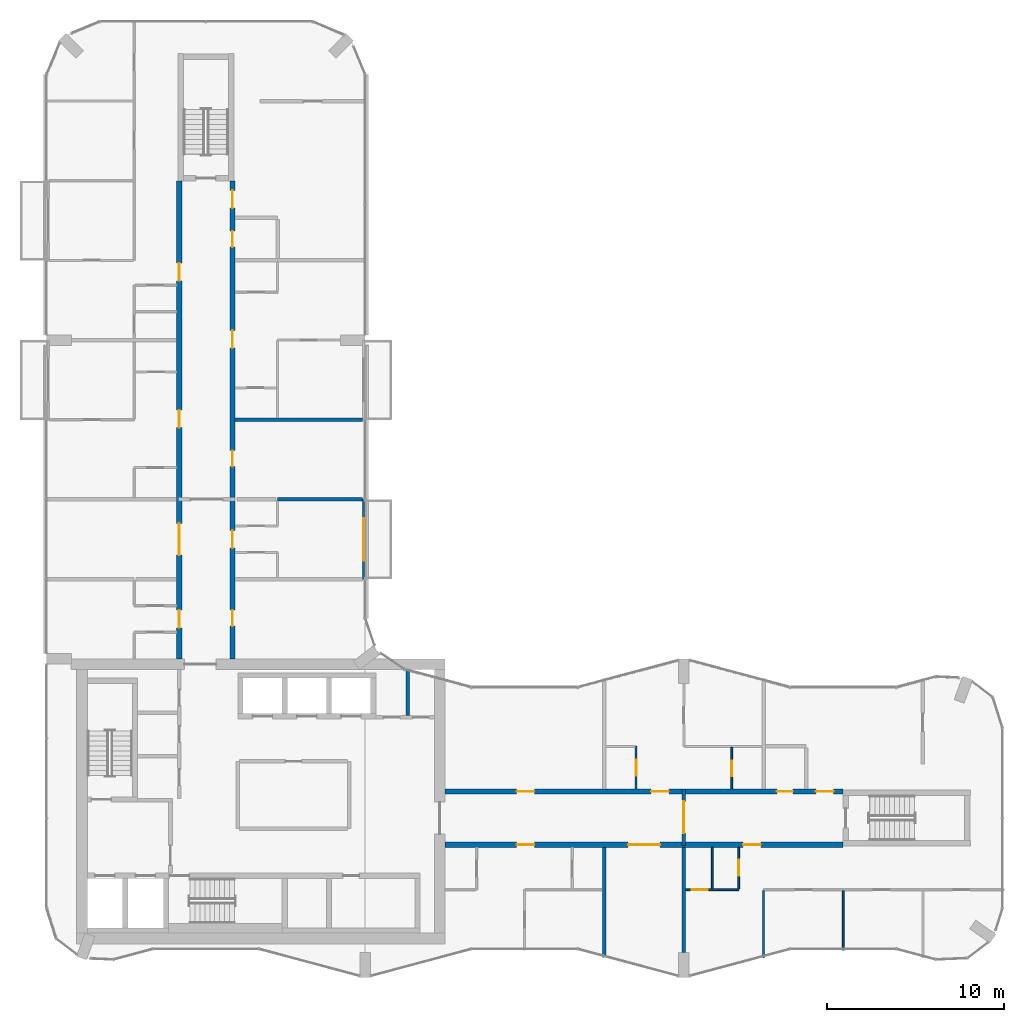
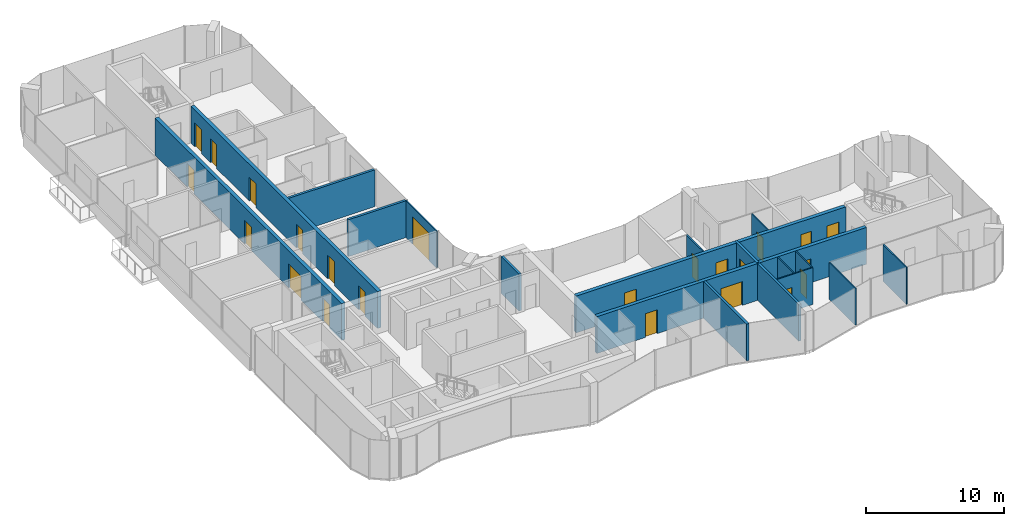
# One storey, part 11 of 15: 23 doors, 18 walls, 23 openings.
"""IFC4 building model written with IfcOpenShell, lengths in metres."""

from ifc_helpers import new_model, si_unit, direction, frame, frame_2d, origin, place, context, subcontext, project, spatial, rectangle, extrude, material, layer, layer_set, type_object, element, fill, save


model = new_model("IFC4")

# Units and contexts
model_context = context("Model", 3, precision=1e-05, world=origin(), true_north=direction((0.0, 1.0)))
body_context = subcontext(model_context, "Body", "Model", "MODEL_VIEW")
ifc_project = project(units=[si_unit("LENGTHUNIT", "METRE"), si_unit("AREAUNIT", "SQUARE_METRE"), si_unit("VOLUMEUNIT", "CUBIC_METRE"), si_unit("PLANEANGLEUNIT", "RADIAN"), si_unit("MASSUNIT", "GRAM", prefix="KILO")], contexts=[model_context])

# Site, building, storey
site_placement = place(None, origin())
site = spatial("IfcSite", under=ifc_project, at=site_placement, CompositionType="ELEMENT")
building_placement = place(site_placement, origin())
building = spatial("IfcBuilding", under=site, at=building_placement, Name="Plateau Cross Towers", CompositionType="ELEMENT")
storey_placement = place(building_placement, frame((0.0, 0.0, 156.89990234375)))
storey = spatial("IfcBuildingStorey", under=building, at=storey_placement, Name="L40", CompositionType="ELEMENT", Elevation=156.89990234375)

# Wall, opening, door
ifc_material_1 = material(Name="Aluminium framed glazing", Category="aluminium")
ifc_layer_1 = layer(ifc_material_1, 0.10009765625)
ifc_layer_set_1 = layer_set([ifc_layer_1], Name="Aluminium framed glazing")
wall_type_1 = type_object("IfcWallType", Name="Balcony screen wall 100", PredefinedType="STANDARD", material=ifc_layer_set_1)
wall_1_placement = place(storey_placement, frame((17.89990234375, 27.0, 0.0), z_axis=(0.0, 0.0, 1.0), x_axis=(0.0, -1.0, 0.0)))
wall_1 = element("IfcWall", 1, at=wall_1_placement, inside=storey, type_object=wall_type_1, Name="Balcony screen wall A-BAL-L40-03", PredefinedType="STANDARD", context=body_context, shape_type="SweptSolid", body=[
    extrude(rectangle(XDim=4.5, YDim=0.10009765625, at=frame_2d((2.25, 0.0))), origin(), (0.0, 0.0, 1.0), 3.25),
])
opening_1_placement = place(wall_1_placement, frame((1.050048828125, 0.0, 0.0)))
opening_1 = element("IfcOpeningElement", 2, at=opening_1_placement, cuts=wall_1, Name="Opening D-B24", PredefinedType="OPENING", context=body_context, shape_type="SweptSolid", body=[
    extrude(rectangle(XDim=2.39990234375, YDim=2.39990234375, at=frame_2d((1.199951171875, 1.199951171875))), frame((0.0, 0.06005859375, 0.0), z_axis=(0.0, -1.0, 0.0), x_axis=(1.0, 0.0, 0.0)), (0.0, 0.0, 1.0), 0.1201171875),
])
ifc_material_2 = material(Name="Aluminium frame, double glazing", Category="aluminium")
door_type_1 = type_object("IfcDoorType", Name="Balcony sliding door 2400", OperationType="NOTDEFINED", PredefinedType="DOOR", material=ifc_material_2)
door_1_placement = place(opening_1_placement, origin())
door_1 = element("IfcDoor", 3, at=door_1_placement, inside=storey, type_object=door_type_1, Name="Balcony door A-BAL-L40-03", OperationType="SINGLE_SWING_LEFT", OverallHeight=2.39990234375, OverallWidth=2.39990234375, PredefinedType="DOOR", context=body_context, shape_type="SweptSolid", body=[
    extrude(rectangle(XDim=2.39990234375, YDim=2.39990234375, at=frame_2d((1.199951171875, 1.199951171875))), frame((0.0, 0.02490234375, 0.0), z_axis=(0.0, -1.0, 0.0), x_axis=(1.0, 0.0, 0.0)), (0.0, 0.0, 1.0), 0.050048828125),
])
fill(opening_1, door_1)

# Wall
ifc_material_3 = material(Name="Concrete block, plastered both sides", Category="concrete")
ifc_layer_2 = layer(ifc_material_3, 0.199951171875)
ifc_layer_set_2 = layer_set([ifc_layer_2], Name="Concrete block, plastered both sides")
wall_type_2 = type_object("IfcWallType", Name="Core partition 200", PredefinedType="PARTITIONING", material=ifc_layer_set_2)
wall_2_placement = place(storey_placement, frame((20.39990234375, 14.800048828125, 0.0), z_axis=(0.0, 0.0, 1.0), x_axis=(0.0, 1.0, 0.0)))
element("IfcWall", 4, at=wall_2_placement, inside=storey, type_object=wall_type_2, Name="Core partition", PredefinedType="PARTITIONING", context=body_context, shape_type="SweptSolid", body=[
    extrude(rectangle(XDim=2.599853515625, YDim=0.199951171875, at=frame_2d((1.2998046875, 0.0))), origin(), (0.0, 0.0, 1.0), 3.25),
])

# Wall, openings, doors
ifc_material_4 = material(Name="Concrete C60/75", Category="concrete")
ifc_layer_3 = layer(ifc_material_4, 0.300048828125)
ifc_layer_set_3 = layer_set([ifc_layer_3], Name="Concrete C60/75")
wall_type_3 = type_object("IfcWallType", Name="Corridor wall 300", PredefinedType="SHEAR", material=ifc_layer_set_3)
wall_3_placement = place(storey_placement, frame((22.5, 7.5, 0.0), z_axis=(0.0, 0.0, 1.0), x_axis=(1.0, 0.0, 0.0)))
wall_3 = element("IfcWall", 5, at=wall_3_placement, inside=storey, type_object=wall_type_3, Name="A-cw-S1@L40", PredefinedType="SHEAR", context=body_context, shape_type="SweptSolid", body=[
    extrude(rectangle(XDim=22.5, YDim=0.300048828125, at=frame_2d((11.25, 0.0))), origin(), (0.0, 0.0, 1.0), 3.25),
])
opening_2_placement = place(wall_3_placement, frame((4.050048828125, 0.0, 0.0)))
opening_2 = element("IfcOpeningElement", 6, at=opening_2_placement, cuts=wall_3, Name="Opening 40-01", PredefinedType="OPENING", context=body_context, shape_type="SweptSolid", body=[
    extrude(rectangle(XDim=1.0, YDim=2.10009765625, at=frame_2d((0.5, 1.050048828125))), frame((0.0, 0.159912109375, 0.0), z_axis=(0.0, -1.0, 0.0), x_axis=(1.0, 0.0, 0.0)), (0.0, 0.0, 1.0), 0.320068359375),
])
opening_3_placement = place(wall_3_placement, frame((10.35009765625, 0.0, 0.0)))
opening_3 = element("IfcOpeningElement", 7, at=opening_3_placement, cuts=wall_3, Name="Opening 40-02", PredefinedType="OPENING", context=body_context, shape_type="SweptSolid", body=[
    extrude(rectangle(XDim=1.800048828125, YDim=2.10009765625, at=frame_2d((0.89990234375, 1.050048828125))), frame((0.0, 0.159912109375, 0.0), z_axis=(0.0, -1.0, 0.0), x_axis=(1.0, 0.0, 0.0)), (0.0, 0.0, 1.0), 0.320068359375),
])
opening_4_placement = place(wall_3_placement, frame((16.85009765625, 0.0, 0.0)))
opening_4 = element("IfcOpeningElement", 8, at=opening_4_placement, cuts=wall_3, Name="Opening 40-03", PredefinedType="OPENING", context=body_context, shape_type="SweptSolid", body=[
    extrude(rectangle(XDim=1.0, YDim=2.10009765625, at=frame_2d((0.5, 1.050048828125))), frame((0.0, 0.159912109375, 0.0), z_axis=(0.0, -1.0, 0.0), x_axis=(1.0, 0.0, 0.0)), (0.0, 0.0, 1.0), 0.320068359375),
])
ifc_material_5 = material(Name="Timber, fire-resisting leaf", Category="wood")
door_type_2 = type_object("IfcDoorType", Name="Flat entrance door 1000", OperationType="NOTDEFINED", PredefinedType="DOOR", material=ifc_material_5)
door_2_placement = place(opening_2_placement, origin())
door_2 = element("IfcDoor", 9, at=door_2_placement, inside=storey, type_object=door_type_2, Name="Door 40-01", OperationType="SINGLE_SWING_LEFT", OverallHeight=2.10009765625, OverallWidth=1.0, PredefinedType="DOOR", context=body_context, shape_type="SweptSolid", body=[
    extrude(rectangle(XDim=1.0, YDim=2.10009765625, at=frame_2d((0.5, 1.050048828125))), frame((0.0, 0.02490234375, 0.0), z_axis=(0.0, -1.0, 0.0), x_axis=(1.0, 0.0, 0.0)), (0.0, 0.0, 1.0), 0.050048828125),
])
fill(opening_2, door_2)
door_3_placement = place(opening_4_placement, origin())
door_3 = element("IfcDoor", 10, at=door_3_placement, inside=storey, type_object=door_type_2, Name="Door 40-03", OperationType="SINGLE_SWING_RIGHT", OverallHeight=2.10009765625, OverallWidth=1.0, PredefinedType="DOOR", context=body_context, shape_type="SweptSolid", body=[
    extrude(rectangle(XDim=1.0, YDim=2.10009765625, at=frame_2d((0.5, 1.050048828125))), frame((0.0, 0.02490234375, 0.0), z_axis=(0.0, -1.0, 0.0), x_axis=(1.0, 0.0, 0.0)), (0.0, 0.0, 1.0), 0.050048828125),
])
fill(opening_4, door_3)
ifc_material_6 = material(Name="Timber, fire-resisting leaves", Category="wood")
door_type_3 = type_object("IfcDoorType", Name="Flat floor fire door pair 1800", OperationType="NOTDEFINED", PredefinedType="DOOR", material=ifc_material_6)
door_4_placement = place(opening_3_placement, origin())
door_4 = element("IfcDoor", 11, at=door_4_placement, inside=storey, type_object=door_type_3, Name="Door 40-02", OperationType="SINGLE_SWING_LEFT", OverallHeight=2.10009765625, OverallWidth=1.800048828125, PredefinedType="DOOR", context=body_context, shape_type="SweptSolid", body=[
    extrude(rectangle(XDim=1.800048828125, YDim=2.10009765625, at=frame_2d((0.89990234375, 1.050048828125))), frame((0.0, 0.02490234375, 0.0), z_axis=(0.0, -1.0, 0.0), x_axis=(1.0, 0.0, 0.0)), (0.0, 0.0, 1.0), 0.050048828125),
])
fill(opening_3, door_4)

wall_4_placement = place(storey_placement, frame((22.5, 10.5, 0.0), z_axis=(0.0, 0.0, 1.0), x_axis=(1.0, 0.0, 0.0)))
wall_4 = element("IfcWall", 12, at=wall_4_placement, inside=storey, type_object=wall_type_3, Name="A-cw-S2@L40", PredefinedType="SHEAR", context=body_context, shape_type="SweptSolid", body=[
    extrude(rectangle(XDim=22.5, YDim=0.300048828125, at=frame_2d((11.25, 0.0))), origin(), (0.0, 0.0, 1.0), 3.25),
])
opening_5_placement = place(wall_4_placement, frame((4.050048828125, 0.0, 0.0)))
opening_5 = element("IfcOpeningElement", 13, at=opening_5_placement, cuts=wall_4, Name="Opening 40-04", PredefinedType="OPENING", context=body_context, shape_type="SweptSolid", body=[
    extrude(rectangle(XDim=1.0, YDim=2.10009765625, at=frame_2d((0.5, 1.050048828125))), frame((0.0, 0.159912109375, 0.0), z_axis=(0.0, -1.0, 0.0), x_axis=(1.0, 0.0, 0.0)), (0.0, 0.0, 1.0), 0.320068359375),
])
opening_6_placement = place(wall_4_placement, frame((11.64990234375, 0.0, 0.0)))
opening_6 = element("IfcOpeningElement", 14, at=opening_6_placement, cuts=wall_4, Name="Opening 40-05", PredefinedType="OPENING", context=body_context, shape_type="SweptSolid", body=[
    extrude(rectangle(XDim=1.0, YDim=2.10009765625, at=frame_2d((0.5, 1.050048828125))), frame((0.0, 0.159912109375, 0.0), z_axis=(0.0, -1.0, 0.0), x_axis=(1.0, 0.0, 0.0)), (0.0, 0.0, 1.0), 0.320068359375),
])
opening_7_placement = place(wall_4_placement, frame((18.75, 0.0, 0.0)))
opening_7 = element("IfcOpeningElement", 15, at=opening_7_placement, cuts=wall_4, Name="Opening 40-06", PredefinedType="OPENING", context=body_context, shape_type="SweptSolid", body=[
    extrude(rectangle(XDim=0.89990234375, YDim=2.10009765625, at=frame_2d((0.449951171875, 1.050048828125))), frame((0.0, 0.159912109375, 0.0), z_axis=(0.0, -1.0, 0.0), x_axis=(1.0, 0.0, 0.0)), (0.0, 0.0, 1.0), 0.320068359375),
])
opening_8_placement = place(wall_4_placement, frame((20.949951171875, 0.0, 0.0)))
opening_8 = element("IfcOpeningElement", 16, at=opening_8_placement, cuts=wall_4, Name="Opening 40-07", PredefinedType="OPENING", context=body_context, shape_type="SweptSolid", body=[
    extrude(rectangle(XDim=1.0, YDim=2.10009765625, at=frame_2d((0.5, 1.050048828125))), frame((0.0, 0.159912109375, 0.0), z_axis=(0.0, -1.0, 0.0), x_axis=(1.0, 0.0, 0.0)), (0.0, 0.0, 1.0), 0.320068359375),
])
door_5_placement = place(opening_5_placement, origin())
door_5 = element("IfcDoor", 17, at=door_5_placement, inside=storey, type_object=door_type_2, Name="Door 40-04", OperationType="SINGLE_SWING_LEFT", OverallHeight=2.10009765625, OverallWidth=1.0, PredefinedType="DOOR", context=body_context, shape_type="SweptSolid", body=[
    extrude(rectangle(XDim=1.0, YDim=2.10009765625, at=frame_2d((0.5, 1.050048828125))), frame((0.0, 0.02490234375, 0.0), z_axis=(0.0, -1.0, 0.0), x_axis=(1.0, 0.0, 0.0)), (0.0, 0.0, 1.0), 0.050048828125),
])
fill(opening_5, door_5)
door_6_placement = place(opening_6_placement, origin())
door_6 = element("IfcDoor", 18, at=door_6_placement, inside=storey, type_object=door_type_2, Name="Door 40-05", OperationType="SINGLE_SWING_RIGHT", OverallHeight=2.10009765625, OverallWidth=1.0, PredefinedType="DOOR", context=body_context, shape_type="SweptSolid", body=[
    extrude(rectangle(XDim=1.0, YDim=2.10009765625, at=frame_2d((0.5, 1.050048828125))), frame((0.0, 0.02490234375, 0.0), z_axis=(0.0, -1.0, 0.0), x_axis=(1.0, 0.0, 0.0)), (0.0, 0.0, 1.0), 0.050048828125),
])
fill(opening_6, door_6)
door_7_placement = place(opening_8_placement, origin())
door_7 = element("IfcDoor", 19, at=door_7_placement, inside=storey, type_object=door_type_2, Name="Door 40-07", OperationType="SINGLE_SWING_RIGHT", OverallHeight=2.10009765625, OverallWidth=1.0, PredefinedType="DOOR", context=body_context, shape_type="SweptSolid", body=[
    extrude(rectangle(XDim=1.0, YDim=2.10009765625, at=frame_2d((0.5, 1.050048828125))), frame((0.0, 0.02490234375, 0.0), z_axis=(0.0, -1.0, 0.0), x_axis=(1.0, 0.0, 0.0)), (0.0, 0.0, 1.0), 0.050048828125),
])
fill(opening_8, door_7)
door_type_4 = type_object("IfcDoorType", Name="Flat floor service door 900", OperationType="NOTDEFINED", PredefinedType="DOOR", material=ifc_material_5)
door_8_placement = place(opening_7_placement, origin())
door_8 = element("IfcDoor", 20, at=door_8_placement, inside=storey, type_object=door_type_4, Name="Door 40-06", OperationType="SINGLE_SWING_RIGHT", OverallHeight=2.10009765625, OverallWidth=0.89990234375, PredefinedType="DOOR", context=body_context, shape_type="SweptSolid", body=[
    extrude(rectangle(XDim=0.89990234375, YDim=2.10009765625, at=frame_2d((0.449951171875, 1.050048828125))), frame((0.0, 0.02490234375, 0.0), z_axis=(0.0, -1.0, 0.0), x_axis=(1.0, 0.0, 0.0)), (0.0, 0.0, 1.0), 0.050048828125),
])
fill(opening_7, door_8)

wall_5_placement = place(storey_placement, frame((7.5, 18.0, 0.0), z_axis=(0.0, 0.0, 1.0), x_axis=(0.0, 1.0, 0.0)))
wall_5 = element("IfcWall", 21, at=wall_5_placement, inside=storey, type_object=wall_type_3, Name="A-cw-W1@L40", PredefinedType="SHEAR", context=body_context, shape_type="SweptSolid", body=[
    extrude(rectangle(XDim=27.0, YDim=0.300048828125, at=frame_2d((13.5, 0.0))), origin(), (0.0, 0.0, 1.0), 3.25),
])
opening_9_placement = place(wall_5_placement, frame((1.75, 0.0, 0.0)))
opening_9 = element("IfcOpeningElement", 22, at=opening_9_placement, cuts=wall_5, Name="Opening 40-08", PredefinedType="OPENING", context=body_context, shape_type="SweptSolid", body=[
    extrude(rectangle(XDim=1.0, YDim=2.10009765625, at=frame_2d((0.5, 1.050048828125))), frame((0.0, 0.159912109375, 0.0), z_axis=(0.0, -1.0, 0.0), x_axis=(1.0, 0.0, 0.0)), (0.0, 0.0, 1.0), 0.320068359375),
])
opening_10_placement = place(wall_5_placement, frame((5.85009765625, 0.0, 0.0)))
opening_10 = element("IfcOpeningElement", 23, at=opening_10_placement, cuts=wall_5, Name="Opening 40-09", PredefinedType="OPENING", context=body_context, shape_type="SweptSolid", body=[
    extrude(rectangle(XDim=1.800048828125, YDim=2.10009765625, at=frame_2d((0.89990234375, 1.050048828125))), frame((0.0, 0.159912109375, 0.0), z_axis=(0.0, -1.0, 0.0), x_axis=(1.0, 0.0, 0.0)), (0.0, 0.0, 1.0), 0.320068359375),
])
opening_11_placement = place(wall_5_placement, frame((13.050048828125, 0.0, 0.0)))
opening_11 = element("IfcOpeningElement", 24, at=opening_11_placement, cuts=wall_5, Name="Opening 40-10", PredefinedType="OPENING", context=body_context, shape_type="SweptSolid", body=[
    extrude(rectangle(XDim=1.0, YDim=2.10009765625, at=frame_2d((0.5, 1.050048828125))), frame((0.0, 0.159912109375, 0.0), z_axis=(0.0, -1.0, 0.0), x_axis=(1.0, 0.0, 0.0)), (0.0, 0.0, 1.0), 0.320068359375),
])
opening_12_placement = place(wall_5_placement, frame((21.35009765625, 0.0, 0.0)))
opening_12 = element("IfcOpeningElement", 25, at=opening_12_placement, cuts=wall_5, Name="Opening 40-11", PredefinedType="OPENING", context=body_context, shape_type="SweptSolid", body=[
    extrude(rectangle(XDim=1.0, YDim=2.10009765625, at=frame_2d((0.5, 1.050048828125))), frame((0.0, 0.159912109375, 0.0), z_axis=(0.0, -1.0, 0.0), x_axis=(1.0, 0.0, 0.0)), (0.0, 0.0, 1.0), 0.320068359375),
])
door_9_placement = place(opening_9_placement, origin())
door_9 = element("IfcDoor", 26, at=door_9_placement, inside=storey, type_object=door_type_2, Name="Door 40-08", OperationType="SINGLE_SWING_LEFT", OverallHeight=2.10009765625, OverallWidth=1.0, PredefinedType="DOOR", context=body_context, shape_type="SweptSolid", body=[
    extrude(rectangle(XDim=1.0, YDim=2.10009765625, at=frame_2d((0.5, 1.050048828125))), frame((0.0, 0.02490234375, 0.0), z_axis=(0.0, -1.0, 0.0), x_axis=(1.0, 0.0, 0.0)), (0.0, 0.0, 1.0), 0.050048828125),
])
fill(opening_9, door_9)
door_10_placement = place(opening_11_placement, origin())
door_10 = element("IfcDoor", 27, at=door_10_placement, inside=storey, type_object=door_type_2, Name="Door 40-10", OperationType="SINGLE_SWING_RIGHT", OverallHeight=2.10009765625, OverallWidth=1.0, PredefinedType="DOOR", context=body_context, shape_type="SweptSolid", body=[
    extrude(rectangle(XDim=1.0, YDim=2.10009765625, at=frame_2d((0.5, 1.050048828125))), frame((0.0, 0.02490234375, 0.0), z_axis=(0.0, -1.0, 0.0), x_axis=(1.0, 0.0, 0.0)), (0.0, 0.0, 1.0), 0.050048828125),
])
fill(opening_11, door_10)
door_11_placement = place(opening_12_placement, origin())
door_11 = element("IfcDoor", 28, at=door_11_placement, inside=storey, type_object=door_type_2, Name="Door 40-11", OperationType="SINGLE_SWING_RIGHT", OverallHeight=2.10009765625, OverallWidth=1.0, PredefinedType="DOOR", context=body_context, shape_type="SweptSolid", body=[
    extrude(rectangle(XDim=1.0, YDim=2.10009765625, at=frame_2d((0.5, 1.050048828125))), frame((0.0, 0.02490234375, 0.0), z_axis=(0.0, -1.0, 0.0), x_axis=(1.0, 0.0, 0.0)), (0.0, 0.0, 1.0), 0.050048828125),
])
fill(opening_12, door_11)
door_12_placement = place(opening_10_placement, origin())
door_12 = element("IfcDoor", 29, at=door_12_placement, inside=storey, type_object=door_type_3, Name="Door 40-09", OperationType="SINGLE_SWING_LEFT", OverallHeight=2.10009765625, OverallWidth=1.800048828125, PredefinedType="DOOR", context=body_context, shape_type="SweptSolid", body=[
    extrude(rectangle(XDim=1.800048828125, YDim=2.10009765625, at=frame_2d((0.89990234375, 1.050048828125))), frame((0.0, 0.02490234375, 0.0), z_axis=(0.0, -1.0, 0.0), x_axis=(1.0, 0.0, 0.0)), (0.0, 0.0, 1.0), 0.050048828125),
])
fill(opening_10, door_12)

wall_6_placement = place(storey_placement, frame((10.5, 18.0, 0.0), z_axis=(0.0, 0.0, 1.0), x_axis=(0.0, 1.0, 0.0)))
wall_6 = element("IfcWall", 30, at=wall_6_placement, inside=storey, type_object=wall_type_3, Name="A-cw-W2@L40", PredefinedType="SHEAR", context=body_context, shape_type="SweptSolid", body=[
    extrude(rectangle(XDim=27.0, YDim=0.300048828125, at=frame_2d((13.5, 0.0))), origin(), (0.0, 0.0, 1.0), 3.25),
])
opening_13_placement = place(wall_6_placement, frame((1.85009765625, 0.0, 0.0)))
opening_13 = element("IfcOpeningElement", 31, at=opening_13_placement, cuts=wall_6, Name="Opening 40-12", PredefinedType="OPENING", context=body_context, shape_type="SweptSolid", body=[
    extrude(rectangle(XDim=0.89990234375, YDim=2.10009765625, at=frame_2d((0.449951171875, 1.050048828125))), frame((0.0, 0.159912109375, 0.0), z_axis=(0.0, -1.0, 0.0), x_axis=(1.0, 0.0, 0.0)), (0.0, 0.0, 1.0), 0.320068359375),
])
opening_14_placement = place(wall_6_placement, frame((6.25, 0.0, 0.0)))
opening_14 = element("IfcOpeningElement", 32, at=opening_14_placement, cuts=wall_6, Name="Opening 40-13", PredefinedType="OPENING", context=body_context, shape_type="SweptSolid", body=[
    extrude(rectangle(XDim=1.0, YDim=2.10009765625, at=frame_2d((0.5, 1.050048828125))), frame((0.0, 0.159912109375, 0.0), z_axis=(0.0, -1.0, 0.0), x_axis=(1.0, 0.0, 0.0)), (0.0, 0.0, 1.0), 0.320068359375),
])
opening_15_placement = place(wall_6_placement, frame((10.85009765625, 0.0, 0.0)))
opening_15 = element("IfcOpeningElement", 33, at=opening_15_placement, cuts=wall_6, Name="Opening 40-14", PredefinedType="OPENING", context=body_context, shape_type="SweptSolid", body=[
    extrude(rectangle(XDim=0.89990234375, YDim=2.10009765625, at=frame_2d((0.449951171875, 1.050048828125))), frame((0.0, 0.159912109375, 0.0), z_axis=(0.0, -1.0, 0.0), x_axis=(1.0, 0.0, 0.0)), (0.0, 0.0, 1.0), 0.320068359375),
])
opening_16_placement = place(wall_6_placement, frame((17.550048828125, 0.0, 0.0)))
opening_16 = element("IfcOpeningElement", 34, at=opening_16_placement, cuts=wall_6, Name="Opening 40-15", PredefinedType="OPENING", context=body_context, shape_type="SweptSolid", body=[
    extrude(rectangle(XDim=1.0, YDim=2.10009765625, at=frame_2d((0.5, 1.050048828125))), frame((0.0, 0.159912109375, 0.0), z_axis=(0.0, -1.0, 0.0), x_axis=(1.0, 0.0, 0.0)), (0.0, 0.0, 1.0), 0.320068359375),
])
opening_17_placement = place(wall_6_placement, frame((23.25, 0.0, 0.0)))
opening_17 = element("IfcOpeningElement", 35, at=opening_17_placement, cuts=wall_6, Name="Opening 40-16", PredefinedType="OPENING", context=body_context, shape_type="SweptSolid", body=[
    extrude(rectangle(XDim=0.89990234375, YDim=2.10009765625, at=frame_2d((0.449951171875, 1.050048828125))), frame((0.0, 0.159912109375, 0.0), z_axis=(0.0, -1.0, 0.0), x_axis=(1.0, 0.0, 0.0)), (0.0, 0.0, 1.0), 0.320068359375),
])
opening_18_placement = place(wall_6_placement, frame((25.449951171875, 0.0, 0.0)))
opening_18 = element("IfcOpeningElement", 36, at=opening_18_placement, cuts=wall_6, Name="Opening 40-17", PredefinedType="OPENING", context=body_context, shape_type="SweptSolid", body=[
    extrude(rectangle(XDim=1.0, YDim=2.10009765625, at=frame_2d((0.5, 1.050048828125))), frame((0.0, 0.159912109375, 0.0), z_axis=(0.0, -1.0, 0.0), x_axis=(1.0, 0.0, 0.0)), (0.0, 0.0, 1.0), 0.320068359375),
])
door_13_placement = place(opening_14_placement, origin())
door_13 = element("IfcDoor", 37, at=door_13_placement, inside=storey, type_object=door_type_2, Name="Door 40-13", OperationType="SINGLE_SWING_LEFT", OverallHeight=2.10009765625, OverallWidth=1.0, PredefinedType="DOOR", context=body_context, shape_type="SweptSolid", body=[
    extrude(rectangle(XDim=1.0, YDim=2.10009765625, at=frame_2d((0.5, 1.050048828125))), frame((0.0, 0.02490234375, 0.0), z_axis=(0.0, -1.0, 0.0), x_axis=(1.0, 0.0, 0.0)), (0.0, 0.0, 1.0), 0.050048828125),
])
fill(opening_14, door_13)
door_14_placement = place(opening_16_placement, origin())
door_14 = element("IfcDoor", 38, at=door_14_placement, inside=storey, type_object=door_type_2, Name="Door 40-15", OperationType="SINGLE_SWING_RIGHT", OverallHeight=2.10009765625, OverallWidth=1.0, PredefinedType="DOOR", context=body_context, shape_type="SweptSolid", body=[
    extrude(rectangle(XDim=1.0, YDim=2.10009765625, at=frame_2d((0.5, 1.050048828125))), frame((0.0, 0.02490234375, 0.0), z_axis=(0.0, -1.0, 0.0), x_axis=(1.0, 0.0, 0.0)), (0.0, 0.0, 1.0), 0.050048828125),
])
fill(opening_16, door_14)
door_15_placement = place(opening_18_placement, origin())
door_15 = element("IfcDoor", 39, at=door_15_placement, inside=storey, type_object=door_type_2, Name="Door 40-17", OperationType="SINGLE_SWING_RIGHT", OverallHeight=2.10009765625, OverallWidth=1.0, PredefinedType="DOOR", context=body_context, shape_type="SweptSolid", body=[
    extrude(rectangle(XDim=1.0, YDim=2.10009765625, at=frame_2d((0.5, 1.050048828125))), frame((0.0, 0.02490234375, 0.0), z_axis=(0.0, -1.0, 0.0), x_axis=(1.0, 0.0, 0.0)), (0.0, 0.0, 1.0), 0.050048828125),
])
fill(opening_18, door_15)
door_16_placement = place(opening_13_placement, origin())
door_16 = element("IfcDoor", 40, at=door_16_placement, inside=storey, type_object=door_type_4, Name="Door 40-12", OperationType="SINGLE_SWING_LEFT", OverallHeight=2.10009765625, OverallWidth=0.89990234375, PredefinedType="DOOR", context=body_context, shape_type="SweptSolid", body=[
    extrude(rectangle(XDim=0.89990234375, YDim=2.10009765625, at=frame_2d((0.449951171875, 1.050048828125))), frame((0.0, 0.02490234375, 0.0), z_axis=(0.0, -1.0, 0.0), x_axis=(1.0, 0.0, 0.0)), (0.0, 0.0, 1.0), 0.050048828125),
])
fill(opening_13, door_16)
door_17_placement = place(opening_15_placement, origin())
door_17 = element("IfcDoor", 41, at=door_17_placement, inside=storey, type_object=door_type_4, Name="Door 40-14", OperationType="SINGLE_SWING_LEFT", OverallHeight=2.10009765625, OverallWidth=0.89990234375, PredefinedType="DOOR", context=body_context, shape_type="SweptSolid", body=[
    extrude(rectangle(XDim=0.89990234375, YDim=2.10009765625, at=frame_2d((0.449951171875, 1.050048828125))), frame((0.0, 0.02490234375, 0.0), z_axis=(0.0, -1.0, 0.0), x_axis=(1.0, 0.0, 0.0)), (0.0, 0.0, 1.0), 0.050048828125),
])
fill(opening_15, door_17)
door_18_placement = place(opening_17_placement, origin())
door_18 = element("IfcDoor", 42, at=door_18_placement, inside=storey, type_object=door_type_4, Name="Door 40-16", OperationType="SINGLE_SWING_RIGHT", OverallHeight=2.10009765625, OverallWidth=0.89990234375, PredefinedType="DOOR", context=body_context, shape_type="SweptSolid", body=[
    extrude(rectangle(XDim=0.89990234375, YDim=2.10009765625, at=frame_2d((0.449951171875, 1.050048828125))), frame((0.0, 0.02490234375, 0.0), z_axis=(0.0, -1.0, 0.0), x_axis=(1.0, 0.0, 0.0)), (0.0, 0.0, 1.0), 0.050048828125),
])
fill(opening_17, door_18)

# Wall, opening, door
ifc_material_7 = material(Name="Gypsum board on steel studs", Category="steel")
ifc_layer_4 = layer(ifc_material_7, 0.10009765625)
ifc_layer_set_4 = layer_set([ifc_layer_4], Name="Gypsum board on steel studs")
wall_type_4 = type_object("IfcWallType", Name="Flat partition 100", PredefinedType="PARTITIONING", material=ifc_layer_set_4)
wall_7_placement = place(storey_placement, frame((36.10009765625, 4.949951171875, 0.0), z_axis=(0.0, 0.0, 1.0), x_axis=(1.0, 0.0, 0.0)))
wall_7 = element("IfcWall", 43, at=wall_7_placement, inside=storey, type_object=wall_type_4, Name="Partition wall", PredefinedType="PARTITIONING", context=body_context, shape_type="SweptSolid", body=[
    extrude(rectangle(XDim=3.0, YDim=0.10009765625, at=frame_2d((1.5, 0.0))), origin(), (0.0, 0.0, 1.0), 3.25),
])
opening_19_placement = place(wall_7_placement, frame((0.35009765625, 0.0, 0.0)))
opening_19 = element("IfcOpeningElement", 44, at=opening_19_placement, cuts=wall_7, Name="Opening 40-25", PredefinedType="OPENING", context=body_context, shape_type="SweptSolid", body=[
    extrude(rectangle(XDim=0.89990234375, YDim=2.10009765625, at=frame_2d((0.449951171875, 1.050048828125))), frame((0.0, 0.06005859375, 0.0), z_axis=(0.0, -1.0, 0.0), x_axis=(1.0, 0.0, 0.0)), (0.0, 0.0, 1.0), 0.1201171875),
])
ifc_material_8 = material(Name="Timber leaf", Category="wood")
door_type_5 = type_object("IfcDoorType", Name="Flat room door 900", OperationType="NOTDEFINED", PredefinedType="DOOR", material=ifc_material_8)
door_19_placement = place(opening_19_placement, origin())
door_19 = element("IfcDoor", 45, at=door_19_placement, inside=storey, type_object=door_type_5, Name="Door 40-25", OperationType="SINGLE_SWING_LEFT", OverallHeight=2.10009765625, OverallWidth=0.89990234375, PredefinedType="DOOR", context=body_context, shape_type="SweptSolid", body=[
    extrude(rectangle(XDim=0.89990234375, YDim=2.10009765625, at=frame_2d((0.449951171875, 1.050048828125))), frame((0.0, 0.02490234375, 0.0), z_axis=(0.0, -1.0, 0.0), x_axis=(1.0, 0.0, 0.0)), (0.0, 0.0, 1.0), 0.050048828125),
])
fill(opening_19, door_19)

wall_8_placement = place(storey_placement, frame((33.300048828125, 10.64990234375, 0.0), z_axis=(0.0, 0.0, 1.0), x_axis=(0.0, 1.0, 0.0)))
wall_8 = element("IfcWall", 46, at=wall_8_placement, inside=storey, type_object=wall_type_4, Name="Partition wall", PredefinedType="PARTITIONING", context=body_context, shape_type="SweptSolid", body=[
    extrude(rectangle(XDim=2.400146484375, YDim=0.10009765625, at=frame_2d((1.2001953125, 0.0))), origin(), (0.0, 0.0, 1.0), 3.25),
])
opening_20_placement = place(wall_8_placement, frame((0.75, 0.0, 0.0)))
opening_20 = element("IfcOpeningElement", 47, at=opening_20_placement, cuts=wall_8, Name="Opening 40-30", PredefinedType="OPENING", context=body_context, shape_type="SweptSolid", body=[
    extrude(rectangle(XDim=0.89990234375, YDim=2.10009765625, at=frame_2d((0.449951171875, 1.050048828125))), frame((0.0, 0.06005859375, 0.0), z_axis=(0.0, -1.0, 0.0), x_axis=(1.0, 0.0, 0.0)), (0.0, 0.0, 1.0), 0.1201171875),
])
door_20_placement = place(opening_20_placement, origin())
door_20 = element("IfcDoor", 48, at=door_20_placement, inside=storey, type_object=door_type_5, Name="Door 40-30", OperationType="SINGLE_SWING_LEFT", OverallHeight=2.10009765625, OverallWidth=0.89990234375, PredefinedType="DOOR", context=body_context, shape_type="SweptSolid", body=[
    extrude(rectangle(XDim=0.89990234375, YDim=2.10009765625, at=frame_2d((0.449951171875, 1.050048828125))), frame((0.0, 0.02490234375, 0.0), z_axis=(0.0, -1.0, 0.0), x_axis=(1.0, 0.0, 0.0)), (0.0, 0.0, 1.0), 0.050048828125),
])
fill(opening_20, door_20)

# Wall
wall_9_placement = place(storey_placement, frame((37.60009765625, 5.0, 0.0), z_axis=(0.0, 0.0, 1.0), x_axis=(0.0, 1.0, 0.0)))
element("IfcWall", 49, at=wall_9_placement, inside=storey, type_object=wall_type_4, Name="Partition wall", PredefinedType="PARTITIONING", context=body_context, shape_type="SweptSolid", body=[
    extrude(rectangle(XDim=2.35009765625, YDim=0.10009765625, at=frame_2d((1.175048828125, 0.0))), origin(), (0.0, 0.0, 1.0), 3.25),
])

# Wall, opening, door
wall_10_placement = place(storey_placement, frame((38.699951171875, 13.0, 0.0), z_axis=(0.0, 0.0, 1.0), x_axis=(0.0, -1.0, 0.0)))
wall_10 = element("IfcWall", 50, at=wall_10_placement, inside=storey, type_object=wall_type_4, Name="Partition wall", PredefinedType="PARTITIONING", context=body_context, shape_type="SweptSolid", body=[
    extrude(rectangle(XDim=2.35009765625, YDim=0.10009765625, at=frame_2d((1.175048828125, 0.0))), origin(), (0.0, 0.0, 1.0), 3.25),
])
opening_21_placement = place(wall_10_placement, frame((0.75, 0.0, 0.0)))
opening_21 = element("IfcOpeningElement", 51, at=opening_21_placement, cuts=wall_10, Name="Opening 40-31", PredefinedType="OPENING", context=body_context, shape_type="SweptSolid", body=[
    extrude(rectangle(XDim=0.89990234375, YDim=2.10009765625, at=frame_2d((0.449951171875, 1.050048828125))), frame((0.0, 0.06005859375, 0.0), z_axis=(0.0, -1.0, 0.0), x_axis=(1.0, 0.0, 0.0)), (0.0, 0.0, 1.0), 0.1201171875),
])
door_21_placement = place(opening_21_placement, origin())
door_21 = element("IfcDoor", 52, at=door_21_placement, inside=storey, type_object=door_type_5, Name="Door 40-31", OperationType="SINGLE_SWING_RIGHT", OverallHeight=2.10009765625, OverallWidth=0.89990234375, PredefinedType="DOOR", context=body_context, shape_type="SweptSolid", body=[
    extrude(rectangle(XDim=0.89990234375, YDim=2.10009765625, at=frame_2d((0.449951171875, 1.050048828125))), frame((0.0, 0.02490234375, 0.0), z_axis=(0.0, -1.0, 0.0), x_axis=(1.0, 0.0, 0.0)), (0.0, 0.0, 1.0), 0.050048828125),
])
fill(opening_21, door_21)

wall_11_placement = place(storey_placement, frame((39.10009765625, 5.0, 0.0), z_axis=(0.0, 0.0, 1.0), x_axis=(0.0, 1.0, 0.0)))
wall_11 = element("IfcWall", 53, at=wall_11_placement, inside=storey, type_object=wall_type_4, Name="Partition wall", PredefinedType="PARTITIONING", context=body_context, shape_type="SweptSolid", body=[
    extrude(rectangle(XDim=2.35009765625, YDim=0.10009765625, at=frame_2d((1.175048828125, 0.0))), origin(), (0.0, 0.0, 1.0), 3.25),
])
opening_22_placement = place(wall_11_placement, frame((0.75, 0.0, 0.0)))
opening_22 = element("IfcOpeningElement", 54, at=opening_22_placement, cuts=wall_11, Name="Opening 40-26", PredefinedType="OPENING", context=body_context, shape_type="SweptSolid", body=[
    extrude(rectangle(XDim=0.89990234375, YDim=2.10009765625, at=frame_2d((0.449951171875, 1.050048828125))), frame((0.0, 0.06005859375, 0.0), z_axis=(0.0, -1.0, 0.0), x_axis=(1.0, 0.0, 0.0)), (0.0, 0.0, 1.0), 0.1201171875),
])
door_22_placement = place(opening_22_placement, origin())
door_22 = element("IfcDoor", 55, at=door_22_placement, inside=storey, type_object=door_type_5, Name="Door 40-26", OperationType="SINGLE_SWING_RIGHT", OverallHeight=2.10009765625, OverallWidth=0.89990234375, PredefinedType="DOOR", context=body_context, shape_type="SweptSolid", body=[
    extrude(rectangle(XDim=0.89990234375, YDim=2.10009765625, at=frame_2d((0.449951171875, 1.050048828125))), frame((0.0, 0.02490234375, 0.0), z_axis=(0.0, -1.0, 0.0), x_axis=(1.0, 0.0, 0.0)), (0.0, 0.0, 1.0), 0.050048828125),
])
fill(opening_22, door_22)

# Walls
wall_12_placement = place(storey_placement, frame((40.5, 4.89990234375, 0.0), z_axis=(0.0, 0.0, 1.0), x_axis=(0.0, -1.0, 0.0)))
element("IfcWall", 56, at=wall_12_placement, inside=storey, type_object=wall_type_4, Name="Partition wall", PredefinedType="PARTITIONING", context=body_context, shape_type="SweptSolid", body=[
    extrude(rectangle(XDim=3.777587890625, YDim=0.10009765625, at=frame_2d((1.888671875, 0.0))), origin(), (0.0, 0.0, 1.0), 3.25),
])
wall_13_placement = place(storey_placement, frame((45.0, 1.52685546875, 0.0), z_axis=(0.0, 0.0, 1.0), x_axis=(0.0, 1.0, 0.0)))
element("IfcWall", 57, at=wall_13_placement, inside=storey, type_object=wall_type_4, Name="Partition wall", PredefinedType="PARTITIONING", context=body_context, shape_type="SweptSolid", body=[
    extrude(rectangle(XDim=3.373046875, YDim=0.10009765625, at=frame_2d((1.6865234375, 0.0))), origin(), (0.0, 0.0, 1.0), 3.25),
])
ifc_material_9 = material(Name="Gypsum board on steel studs, two layers each side", Category="steel")
ifc_layer_5 = layer(ifc_material_9, 0.199951171875)
ifc_layer_set_5 = layer_set([ifc_layer_5], Name="Gypsum board on steel studs, two layers each side")
wall_type_5 = type_object("IfcWallType", Name="Flat party wall 200", PredefinedType="PARTITIONING", material=ifc_layer_set_5)
wall_14_placement = place(storey_placement, frame((13.050048828125, 27.0, 0.0), z_axis=(0.0, 0.0, 1.0), x_axis=(1.0, 0.0, 0.0)))
element("IfcWall", 58, at=wall_14_placement, inside=storey, type_object=wall_type_5, Name="Party wall", PredefinedType="PARTITIONING", context=body_context, shape_type="SweptSolid", body=[
    extrude(rectangle(XDim=4.800048828125, YDim=0.199951171875, at=frame_2d((2.39990234375, 0.0))), origin(), (0.0, 0.0, 1.0), 3.25),
])
wall_15_placement = place(storey_placement, frame((17.85009765625, 31.5, 0.0), z_axis=(0.0, 0.0, 1.0), x_axis=(-1.0, 0.0, 0.0)))
element("IfcWall", 59, at=wall_15_placement, inside=storey, type_object=wall_type_5, Name="Party wall", PredefinedType="PARTITIONING", context=body_context, shape_type="SweptSolid", body=[
    extrude(rectangle(XDim=7.2001953125, YDim=0.199951171875, at=frame_2d((3.60009765625, 0.0))), origin(), (0.0, 0.0, 1.0), 3.25),
])
wall_16_placement = place(storey_placement, frame((31.5, 1.122314453125, 0.0), z_axis=(0.0, 0.0, 1.0), x_axis=(0.0, 1.0, 0.0)))
element("IfcWall", 60, at=wall_16_placement, inside=storey, type_object=wall_type_5, Name="Party wall", PredefinedType="PARTITIONING", context=body_context, shape_type="SweptSolid", body=[
    extrude(rectangle(XDim=6.227783203125, YDim=0.199951171875, at=frame_2d((3.11376953125, 0.0))), origin(), (0.0, 0.0, 1.0), 3.25),
])
wall_17_placement = place(storey_placement, frame((36.0, 1.39990234375, 0.0), z_axis=(0.0, 0.0, 1.0), x_axis=(0.0, 1.0, 0.0)))
element("IfcWall", 61, at=wall_17_placement, inside=storey, type_object=wall_type_5, Name="Party wall", PredefinedType="PARTITIONING", context=body_context, shape_type="SweptSolid", body=[
    extrude(rectangle(XDim=5.9501953125, YDim=0.199951171875, at=frame_2d((2.97509765625, 0.0))), origin(), (0.0, 0.0, 1.0), 3.25),
])

# Wall, opening, door
wall_18_placement = place(storey_placement, frame((36.0, 7.449951171875, 0.0), z_axis=(0.0, 0.0, 1.0), x_axis=(0.0, 1.0, 0.0)))
wall_18 = element("IfcWall", 62, at=wall_18_placement, inside=storey, type_object=wall_type_5, Name="Party wall", PredefinedType="PARTITIONING", context=body_context, shape_type="SweptSolid", body=[
    extrude(rectangle(XDim=3.199951171875, YDim=0.199951171875, at=frame_2d((1.60009765625, 0.0))), origin(), (0.0, 0.0, 1.0), 3.25),
])
opening_23_placement = place(wall_18_placement, frame((0.699951171875, 0.0, 0.0)))
opening_23 = element("IfcOpeningElement", 63, at=opening_23_placement, cuts=wall_18, Name="Opening 40-18", PredefinedType="OPENING", context=body_context, shape_type="SweptSolid", body=[
    extrude(rectangle(XDim=1.800048828125, YDim=2.10009765625, at=frame_2d((0.89990234375, 1.050048828125))), frame((0.0, 0.10986328125, 0.0), z_axis=(0.0, -1.0, 0.0), x_axis=(1.0, 0.0, 0.0)), (0.0, 0.0, 1.0), 0.219970703125),
])
door_23_placement = place(opening_23_placement, origin())
door_23 = element("IfcDoor", 64, at=door_23_placement, inside=storey, type_object=door_type_3, Name="Door 40-18", OperationType="SINGLE_SWING_LEFT", OverallHeight=2.10009765625, OverallWidth=1.800048828125, PredefinedType="DOOR", context=body_context, shape_type="SweptSolid", body=[
    extrude(rectangle(XDim=1.800048828125, YDim=2.10009765625, at=frame_2d((0.89990234375, 1.050048828125))), frame((0.0, 0.02490234375, 0.0), z_axis=(0.0, -1.0, 0.0), x_axis=(1.0, 0.0, 0.0)), (0.0, 0.0, 1.0), 0.050048828125),
])
fill(opening_23, door_23)

save(model, "model.ifc")
